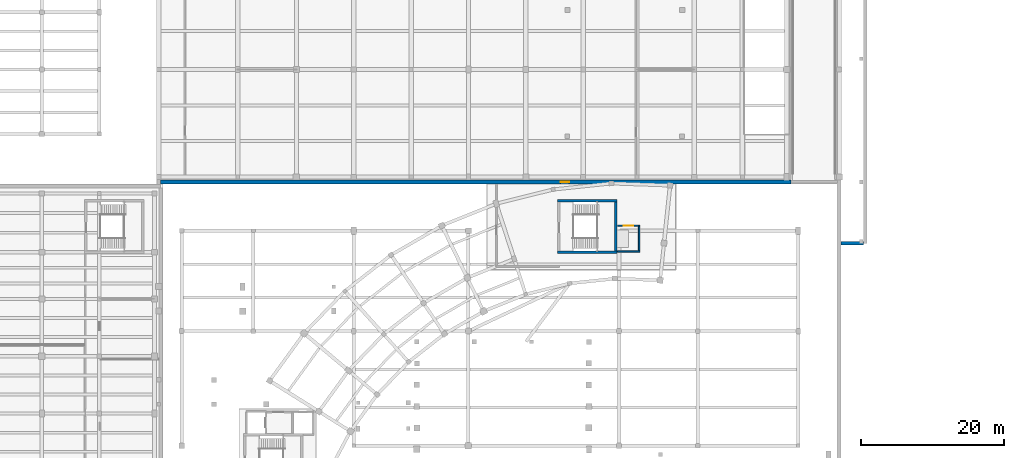
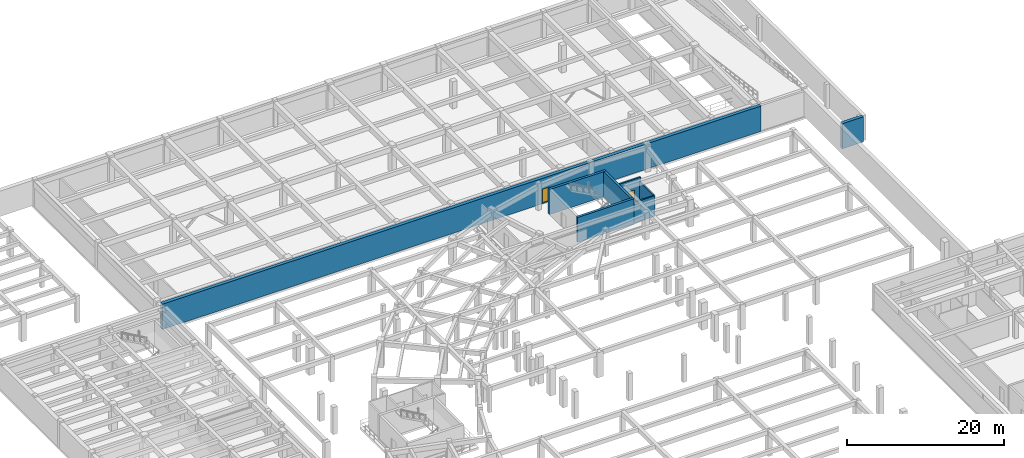
# One storey, part 25 of 35: 8 walls, 2 doors, 2 openings.
"""IFC4 building model written with IfcOpenShell, lengths in metres."""

from ifc_helpers import new_model, si_unit, direction, frame, frame_2d, origin, place, context, subcontext, project, spatial, rectangle, extrude, material, layer, layer_set, type_object, element, fill, save


model = new_model("IFC4")

# Units and contexts
model_context = context("Model", 3, precision=1e-05, world=origin(), true_north=direction((0.0, 1.0)))
body_context = subcontext(model_context, "Body", "Model", "MODEL_VIEW")
ifc_project = project(units=[si_unit("LENGTHUNIT", "METRE"), si_unit("AREAUNIT", "SQUARE_METRE"), si_unit("VOLUMEUNIT", "CUBIC_METRE"), si_unit("PLANEANGLEUNIT", "RADIAN"), si_unit("MASSUNIT", "GRAM", prefix="KILO"), si_unit("THERMODYNAMICTEMPERATUREUNIT", "KELVIN"), si_unit("POWERUNIT", "WATT")], contexts=[model_context])

# Site, building, storey
site_placement = place(None, origin())
site = spatial("IfcSite", under=ifc_project, at=site_placement, CompositionType="ELEMENT")
building_placement = place(site_placement, origin())
building = spatial("IfcBuilding", under=site, at=building_placement, Name="Solvatero Civic Police Headquarters", CompositionType="ELEMENT")
storey_placement = place(building_placement, frame((0.0, 0.0, -4.199951171875)))
storey = spatial("IfcBuildingStorey", under=building, at=storey_placement, Name="B01", CompositionType="ELEMENT", Elevation=-4.199951171875)

# Wall, opening, door
ifc_material_1 = material(Name="Concrete C35/45", Category="concrete")
ifc_layer_1 = layer(ifc_material_1, 0.5)
ifc_layer_set_1 = layer_set([ifc_layer_1], Name="Concrete C35/45")
wall_type_1 = type_object("IfcWallType", Name="WL-RET-500", PredefinedType="USERDEFINED", material=ifc_layer_set_1)
wall_1_placement = place(storey_placement, frame((29.050048828125, 84.800048828125, 0.0), z_axis=(0.0, 0.0, 1.0), x_axis=(1.0, 0.0, 0.0)))
wall_1 = element("IfcWall", 1, at=wall_1_placement, inside=storey, type_object=wall_type_1, Name="B01 Watertight Tanked Retaining Wall RW-INT-NS", ObjectType="RETAINING WALL", PredefinedType="USERDEFINED", context=body_context, shape_type="SweptSolid", body=[
    extrude(rectangle(XDim=87.949951171875, YDim=0.5, at=frame_2d((43.97509765625, 0.0))), origin(), (0.0, 0.0, 1.0), 3.93994140625),
])
opening_1_placement = place(wall_1_placement, frame((55.800048828125, 0.0, 0.0)))
opening_1 = element("IfcOpeningElement", 2, at=opening_1_placement, cuts=wall_1, Name="Opening ID-11", PredefinedType="OPENING", context=body_context, shape_type="SweptSolid", body=[
    extrude(rectangle(XDim=1.179931640625, YDim=2.239990234375, at=frame_2d((0.58984375, 1.1201171875))), frame((0.0, 0.260009765625, 0.0), z_axis=(0.0, -1.0, 0.0), x_axis=(1.0, 0.0, 0.0)), (0.0, 0.0, 1.0), 0.52001953125),
])
ifc_material_2 = material(Name="Powder-Coated Steel", Category="steel")
door_type_1 = type_object("IfcDoorType", Name="DR-COR-118x224", OperationType="NOTDEFINED", PredefinedType="DOOR", material=ifc_material_2)
door_1_placement = place(opening_1_placement, origin())
door_1 = element("IfcDoor", 3, at=door_1_placement, inside=storey, type_object=door_type_1, Name="Interior Door DR-B01-GAR-C3", OperationType="SINGLE_SWING_RIGHT", OverallHeight=2.239990234375, OverallWidth=1.179931640625, PredefinedType="DOOR", context=body_context, shape_type="SweptSolid", body=[
    extrude(rectangle(XDim=1.179931640625, YDim=2.239990234375, at=frame_2d((0.58984375, 1.1201171875))), frame((0.0, 0.02490234375, 0.0), z_axis=(0.0, -1.0, 0.0), x_axis=(1.0, 0.0, 0.0)), (0.0, 0.0, 1.0), 0.050048828125),
])
fill(opening_1, door_1)

# Walls
wall_2_placement = place(storey_placement, frame((124.0, 76.25, 0.0), z_axis=(0.0, 0.0, 1.0), x_axis=(1.0, 0.0, 0.0)))
element("IfcWall", 4, at=wall_2_placement, inside=storey, type_object=wall_type_1, Name="B01 Driveway Retaining Skirt S", ObjectType="RETAINING WALL", PredefinedType="USERDEFINED", context=body_context, shape_type="SweptSolid", body=[
    extrude(rectangle(XDim=3.10009765625, YDim=0.5, at=frame_2d((1.550048828125, 0.0))), origin(), (0.0, 0.0, 1.0), 3.89990234375),
])
ifc_layer_2 = layer(ifc_material_1, 0.219970703125)
ifc_layer_set_2 = layer_set([ifc_layer_2], Name="Concrete C35/45")
wall_type_2 = type_object("IfcWallType", Name="WL-SHF-220", PredefinedType="PARTITIONING", material=ifc_layer_set_2)
wall_3_placement = place(storey_placement, frame((92.760009765625, 75.090087890625, 0.0), z_axis=(0.0, 0.0, 1.0), x_axis=(1.0, 0.0, 0.0)))
element("IfcWall", 5, at=wall_3_placement, inside=storey, type_object=wall_type_2, Name="Lift Shaft Wall WLS-LG-01-B01-S", PredefinedType="PARTITIONING", context=body_context, shape_type="SweptSolid", body=[
    extrude(rectangle(XDim=3.159912109375, YDim=0.219970703125, at=frame_2d((1.580078125, 0.0))), origin(), (0.0, 0.0, 1.0), 3.177978515625),
])

# Wall, opening, door
wall_4_placement = place(storey_placement, frame((92.760009765625, 78.7099609375, 0.0), z_axis=(0.0, 0.0, 1.0), x_axis=(1.0, 0.0, 0.0)))
wall_4 = element("IfcWall", 6, at=wall_4_placement, inside=storey, type_object=wall_type_2, Name="Lift Shaft Wall WLS-LG-01-B01-N", PredefinedType="PARTITIONING", context=body_context, shape_type="SweptSolid", body=[
    extrude(rectangle(XDim=3.159912109375, YDim=0.219970703125, at=frame_2d((1.580078125, 0.0))), origin(), (0.0, 0.0, 1.0), 3.8798828125),
])
opening_2_placement = place(wall_4_placement, frame((0.929931640625, 0.0, 0.0)))
opening_2 = element("IfcOpeningElement", 7, at=opening_2_placement, cuts=wall_4, Name="Opening LD-02", PredefinedType="OPENING", context=body_context, shape_type="SweptSolid", body=[
    extrude(rectangle(XDim=1.300048828125, YDim=2.199951171875, at=frame_2d((0.64990234375, 1.10009765625))), frame((0.0, 0.119873046875, 0.0), z_axis=(0.0, -1.0, 0.0), x_axis=(1.0, 0.0, 0.0)), (0.0, 0.0, 1.0), 0.239990234375),
])
ifc_material_3 = material(Name="Stainless Steel Grade 316", Category="steel")
door_type_2 = type_object("IfcDoorType", Name="DR-LFT-130x220", OperationType="DOUBLE_DOOR_SLIDING", PredefinedType="DOOR", material=ifc_material_3)
door_2_placement = place(opening_2_placement, origin())
door_2 = element("IfcDoor", 8, at=door_2_placement, inside=storey, type_object=door_type_2, Name="Interior Door DR-LFT-LG-01-B01", OperationType="DOUBLE_DOOR_SLIDING", OverallHeight=2.199951171875, OverallWidth=1.300048828125, PredefinedType="DOOR", context=body_context, shape_type="SweptSolid", body=[
    extrude(rectangle(XDim=1.300048828125, YDim=2.199951171875, at=frame_2d((0.64990234375, 1.10009765625))), frame((0.0, 0.02490234375, 0.0), z_axis=(0.0, -1.0, 0.0), x_axis=(1.0, 0.0, 0.0)), (0.0, 0.0, 1.0), 0.050048828125),
])
fill(opening_2, door_2)

# Walls
wall_5_placement = place(storey_placement, frame((95.81005859375, 75.199951171875, 0.0), z_axis=(0.0, 0.0, 1.0), x_axis=(0.0, 1.0, 0.0)))
element("IfcWall", 9, at=wall_5_placement, inside=storey, type_object=wall_type_2, Name="Lift Shaft Wall WLS-LG-01-B01-E", PredefinedType="PARTITIONING", context=body_context, shape_type="SweptSolid", body=[
    extrude(rectangle(XDim=3.400146484375, YDim=0.219970703125, at=frame_2d((1.7001953125, 0.0))), origin(), (0.0, 0.0, 1.0), 3.22802734375),
])
ifc_material_4 = material(Name="Concrete C40/50", Category="concrete")
ifc_layer_3 = layer(ifc_material_4, 0.35009765625)
ifc_layer_set_3 = layer_set([ifc_layer_3], Name="Concrete C40/50")
wall_type_3 = type_object("IfcWallType", Name="WL-SHR-350", PredefinedType="SHEAR", material=ifc_layer_set_3)
for number, where, z_axis, x_axis, name in (
    (10, (84.449951171875, 75.02490234375, 0.0), (0.0, 0.0, 1.0), (1.0, 0.0, 0.0), "Core C3 Shear Wall S B01"),
    (11, (84.449951171875, 82.175048828125, 0.0), (0.0, 0.0, 1.0), (1.0, 0.0, 0.0), "Core C3 Shear Wall N B01"),
):
    element("IfcWall", number, at=place(storey_placement, frame(where, z_axis=z_axis, x_axis=x_axis)), inside=storey, type_object=wall_type_3, Name=name, PredefinedType="SHEAR", context=body_context, shape_type="SweptSolid", body=[
        extrude(rectangle(XDim=8.300048828125, YDim=0.35009765625, at=frame_2d((4.14990234375, 0.0))), origin(), (0.0, 0.0, 1.0), 3.89990234375),
    ])
wall_6_placement = place(storey_placement, frame((92.574951171875, 75.199951171875, 0.0), z_axis=(0.0, 0.0, 1.0), x_axis=(0.0, 1.0, 0.0)))
element("IfcWall", 12, at=wall_6_placement, inside=storey, type_object=wall_type_3, Name="Core C3 Shear Wall E B01", PredefinedType="SHEAR", context=body_context, shape_type="SweptSolid", body=[
    extrude(rectangle(XDim=6.800048828125, YDim=0.35009765625, at=frame_2d((3.39990234375, 0.0))), origin(), (0.0, 0.0, 1.0), 3.89990234375),
])

save(model, "model.ifc")
